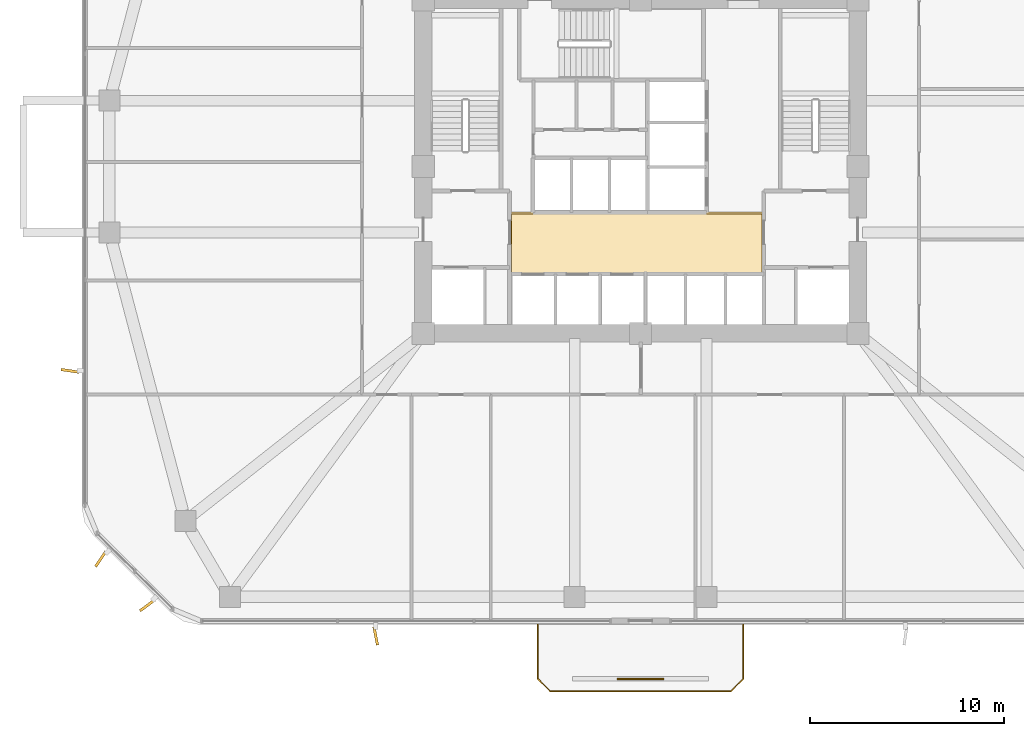
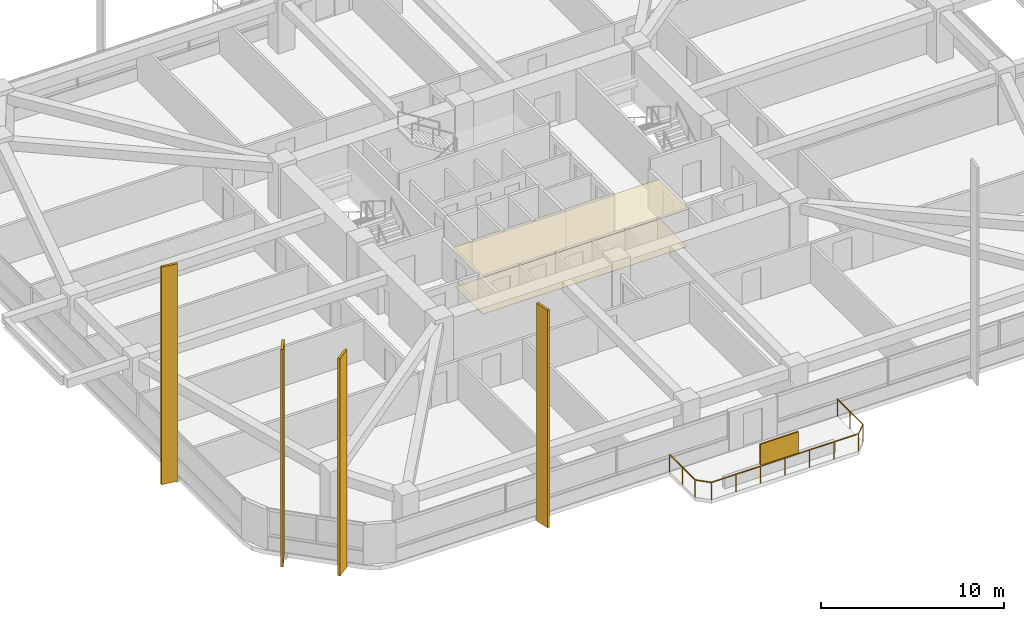
# One storey, part 13 of 17: 5 shading devices, 2 coverings, 1 railing.
"""IFC4 building model written with IfcOpenShell, lengths in metres."""

from ifc_helpers import new_model, si_unit, derived_unit, direction, frame, origin, origin_2d, place, context, subcontext, project, spatial, polyline, rectangle, outline, extrude, material, layer, layer_set, type_object, element, save


model = new_model("IFC4")

# Units and contexts
model_context = context("Model", 3, precision=1e-05, world=origin(), true_north=direction((0.0, 1.0)))
body_context = subcontext(model_context, "Body", "Model", "MODEL_VIEW")
ifc_project = project(units=[si_unit("LENGTHUNIT", "METRE"), si_unit("AREAUNIT", "SQUARE_METRE"), si_unit("VOLUMEUNIT", "CUBIC_METRE"), si_unit("PLANEANGLEUNIT", "RADIAN"), si_unit("MASSUNIT", "GRAM", prefix="KILO"), derived_unit("THERMALTRANSMITTANCEUNIT", [(si_unit("POWERUNIT", "WATT"), 1), (si_unit("LENGTHUNIT", "METRE"), -2), (si_unit("THERMODYNAMICTEMPERATUREUNIT", "KELVIN"), -1)])], contexts=[model_context])

# Site, building, storey
site_placement = place(None, origin())
site = spatial("IfcSite", under=ifc_project, at=site_placement, CompositionType="ELEMENT")
building_placement = place(site_placement, origin())
building = spatial("IfcBuilding", under=site, at=building_placement, Name="Koralith Skygarden Medical Center", CompositionType="ELEMENT")
storey_placement = place(building_placement, frame((0.0, 0.0, 52.739990234375)))
storey = spatial("IfcBuildingStorey", under=building, at=storey_placement, Name="L13", CompositionType="ELEMENT", Elevation=52.739990234375)

# Covering
ifc_material_1 = material(Name="Acoustic Mineral Tile")
ifc_layer_1 = layer(ifc_material_1, 0.02001953125)
ifc_layer_set_1 = layer_set([ifc_layer_1], Name="Acoustic Mineral Tile")
covering_type_1 = type_object("IfcCoveringType", Name="Acoustic Hygienic Mineral Ceiling 20", PredefinedType="CEILING", material=ifc_layer_set_1)
covering_1_placement = place(storey_placement, frame((0.0, 0.0, 2.5849609375)))
element("IfcCovering", 1, at=covering_1_placement, inside=storey, type_object=covering_type_1, Name="L13 Core Lobby Acoustic Ceiling", PredefinedType="CEILING", context=body_context, shape_type="SweptSolid", body=[
    extrude(outline(polyline([(30.25, 20.320068359375), (43.35009765625, 20.320068359375), (43.35009765625, 23.56005859375), (30.25, 23.56005859375), (30.25, 20.320068359375)])), origin(), (0.0, 0.0, 1.0), 0.02001953125),
])

# Shading devices
ifc_material_2 = material(Name="Aluminium 6063-T6", Category="aluminium")
shading_device_type_1 = type_object("IfcShadingDeviceType", Name="Limestone-Clad Solar Storm Fin 950", PredefinedType="USERDEFINED", material=ifc_material_2)
for number, where, z_axis, x_axis, name in (
    (2, (23.35009765625, 1.705078125, -0.2001953125), (0.0, 0.0, 1.0), (0.192247930416, -0.981346388005, 0.0), "L13 S Harmonic Solar Storm Fin 1"),
    (3, (7.60498046875, 15.3701171875, -0.2001953125), (0.0, 0.0, 1.0), (-0.988904655129, 0.14855161751, 0.0), "L13 W Harmonic Solar Storm Fin 2"),
    (4, (9.179931640625, 5.677978515625, -0.2001953125), (0.0, 0.0, 1.0), (-0.557976870385, -0.829856500918, 0.0), "L13 SW Harmonic Solar Storm Fin 1"),
    (5, (11.577880859375, 3.280029296875, -0.2001953125), (0.0, 0.0, 1.0), (-0.804303043686, -0.594219331491, 0.0), "L13 SW Harmonic Solar Storm Fin 2"),
):
    element("IfcShadingDevice", number, at=place(storey_placement, frame(where, z_axis=z_axis, x_axis=x_axis)), inside=storey, type_object=shading_device_type_1, Name=name, ObjectType="SOLAR FIN", PredefinedType="USERDEFINED", context=body_context, shape_type="SweptSolid", body=[
        extrude(rectangle(XDim=0.949951171875, YDim=0.139892578125, at=origin_2d()), origin(), (0.0, 0.0, 1.0), 14.550048828125),
    ])

# Railing
ifc_material_3 = material(Name="Steel ASTM A500 Grade C", Category="steel")
railing_type = type_object("IfcRailingType", Name="Outdoor Terrace & Balcony Safety Guardrail 1180", PredefinedType="GUARDRAIL", material=ifc_material_3)
railing_placement = place(storey_placement, frame((31.699951171875, 2.300048828125, 0.0)))
element("IfcRailing", 6, at=railing_placement, inside=storey, type_object=railing_type, Name="L13 S Balcony Perimeter Guardrail", PredefinedType="GUARDRAIL", context=body_context, shape_type="SweptSolid", body=[
    extrude(rectangle(XDim=0.050048828125, YDim=0.050048828125, at=origin_2d()), frame((0.0, -0.001953125, 1.15478515625), z_axis=(0.0, -1.0, 0.0), x_axis=(1.0, 0.0, 0.0)), (0.0, 0.0, 1.0), 2.796142578125),
    extrude(rectangle(XDim=0.050048828125, YDim=0.050048828125, at=origin_2d()), frame((0.00146484375, -2.801513671875, 1.15478515625), z_axis=(0.707239558722, -0.706973978714, 0.0), x_axis=(0.706973978714, 0.707239558722, 0.0)), (0.0, 0.0, 1.0), 0.915283203125),
    extrude(rectangle(XDim=0.050048828125, YDim=0.050048828125, at=origin_2d()), frame((0.652099609375, -3.449951171875, 1.15478515625), z_axis=(1.0, 0.0, 0.0), x_axis=(0.0, 1.0, 0.0)), (0.0, 0.0, 1.0), 9.2958984375),
    extrude(rectangle(XDim=0.050048828125, YDim=0.050048828125, at=origin_2d()), frame((9.951416015625, -3.448486328125, 1.15478515625), z_axis=(0.707239558722, 0.706973978714, 0.0), x_axis=(-0.706973978714, 0.707239558722, 0.0)), (0.0, 0.0, 1.0), 0.915283203125),
    extrude(rectangle(XDim=0.050048828125, YDim=0.050048828125, at=origin_2d()), frame((10.60009765625, -2.798095703125, 1.15478515625), z_axis=(0.0, 1.0, 0.0), x_axis=(-1.0, 0.0, 0.0)), (0.0, 0.0, 1.0), 2.796142578125),
    extrude(rectangle(XDim=0.0419921875, YDim=0.0419921875, at=origin_2d()), origin(), (0.0, 0.0, 1.0), 1.1279296875),
    extrude(rectangle(XDim=0.0419921875, YDim=0.0419921875, at=origin_2d()), frame((0.0, -1.39990234375, 0.0)), (0.0, 0.0, 1.0), 1.1279296875),
    extrude(rectangle(XDim=0.0419921875, YDim=0.0419921875, at=origin_2d()), frame((0.0, -2.800048828125, 0.0)), (0.0, 0.0, 1.0), 1.1279296875),
    extrude(rectangle(XDim=0.0419921875, YDim=0.0419921875, at=origin_2d()), frame((0.650146484375, -3.449951171875, 0.0)), (0.0, 0.0, 1.0), 1.1279296875),
    extrude(rectangle(XDim=0.0419921875, YDim=0.0419921875, at=origin_2d()), frame((2.2001953125, -3.449951171875, 0.0)), (0.0, 0.0, 1.0), 1.1279296875),
    extrude(rectangle(XDim=0.0419921875, YDim=0.0419921875, at=origin_2d()), frame((3.75, -3.449951171875, 0.0)), (0.0, 0.0, 1.0), 1.1279296875),
    extrude(rectangle(XDim=0.0419921875, YDim=0.0419921875, at=origin_2d()), frame((5.300048828125, -3.449951171875, 0.0)), (0.0, 0.0, 1.0), 1.1279296875),
    extrude(rectangle(XDim=0.0419921875, YDim=0.0419921875, at=origin_2d()), frame((6.85009765625, -3.449951171875, 0.0)), (0.0, 0.0, 1.0), 1.1279296875),
    extrude(rectangle(XDim=0.0419921875, YDim=0.0419921875, at=origin_2d()), frame((8.39990234375, -3.449951171875, 0.0)), (0.0, 0.0, 1.0), 1.1279296875),
    extrude(rectangle(XDim=0.0419921875, YDim=0.0419921875, at=origin_2d()), frame((9.949951171875, -3.449951171875, 0.0)), (0.0, 0.0, 1.0), 1.1279296875),
    extrude(rectangle(XDim=0.0419921875, YDim=0.0419921875, at=origin_2d()), frame((10.60009765625, -2.800048828125, 0.0)), (0.0, 0.0, 1.0), 1.1279296875),
    extrude(rectangle(XDim=0.0419921875, YDim=0.0419921875, at=origin_2d()), frame((10.60009765625, -1.39990234375, 0.0)), (0.0, 0.0, 1.0), 1.1279296875),
    extrude(rectangle(XDim=0.0419921875, YDim=0.0419921875, at=origin_2d()), frame((10.60009765625, 0.0, 0.0)), (0.0, 0.0, 1.0), 1.1279296875),
])

# Shading device
ifc_layer_2 = layer(ifc_material_2, 0.080078125)
ifc_layer_set_2 = layer_set([ifc_layer_2], Name="Aluminium 6063-T6")
shading_device_type_2 = type_object("IfcShadingDeviceType", Name="Perforated Biophilic Balcony Trellis Screen", PredefinedType="USERDEFINED", material=ifc_layer_set_2)
shading_device_placement = place(storey_placement, frame((37.0, -0.5, 0.719970703125), z_axis=(0.0, 0.0, 1.0), x_axis=(1.0, 0.0, 0.0)))
element("IfcShadingDevice", 7, at=shading_device_placement, inside=storey, type_object=shading_device_type_2, Name="L13 S Biophilic Balcony Trellis Screen", ObjectType="HURRICANE SCREEN", PredefinedType="USERDEFINED", context=body_context, shape_type="SweptSolid", body=[
    extrude(rectangle(XDim=2.39990234375, YDim=0.080078125, at=origin_2d()), origin(), (0.0, 0.0, 1.0), 1.39990234375),
])

# Covering
ifc_material_4 = material(Name="Medical Terrazzo Flooring")
ifc_layer_3 = layer(ifc_material_4, 0.014892578125)
ifc_layer_set_3 = layer_set([ifc_layer_3], Name="Medical Terrazzo Flooring")
covering_type_2 = type_object("IfcCoveringType", Name="Seamless Antimicrobial Terrazzo Flooring 15", PredefinedType="FLOORING", material=ifc_layer_set_3)
covering_2_placement = place(storey_placement, origin())
element("IfcCovering", 8, at=covering_2_placement, inside=storey, type_object=covering_type_2, Name="L13 Core Lobby Terrazzo Flooring", PredefinedType="FLOORING", context=body_context, shape_type="SweptSolid", body=[
    extrude(outline(polyline([(30.35009765625, 20.419921875), (43.25, 20.419921875), (43.25, 23.4599609375), (30.35009765625, 23.4599609375), (30.35009765625, 20.419921875)])), origin(), (0.0, 0.0, 1.0), 0.014892578125),
])

save(model, "model.ifc")
